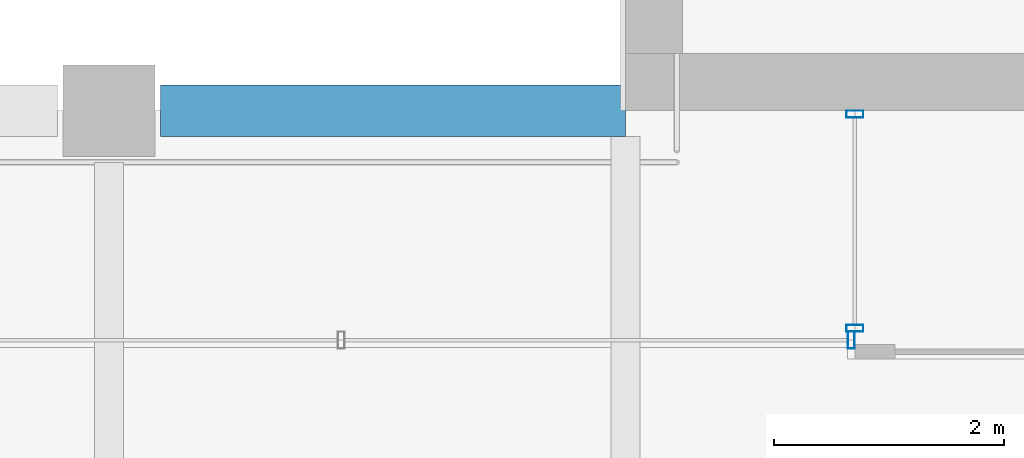
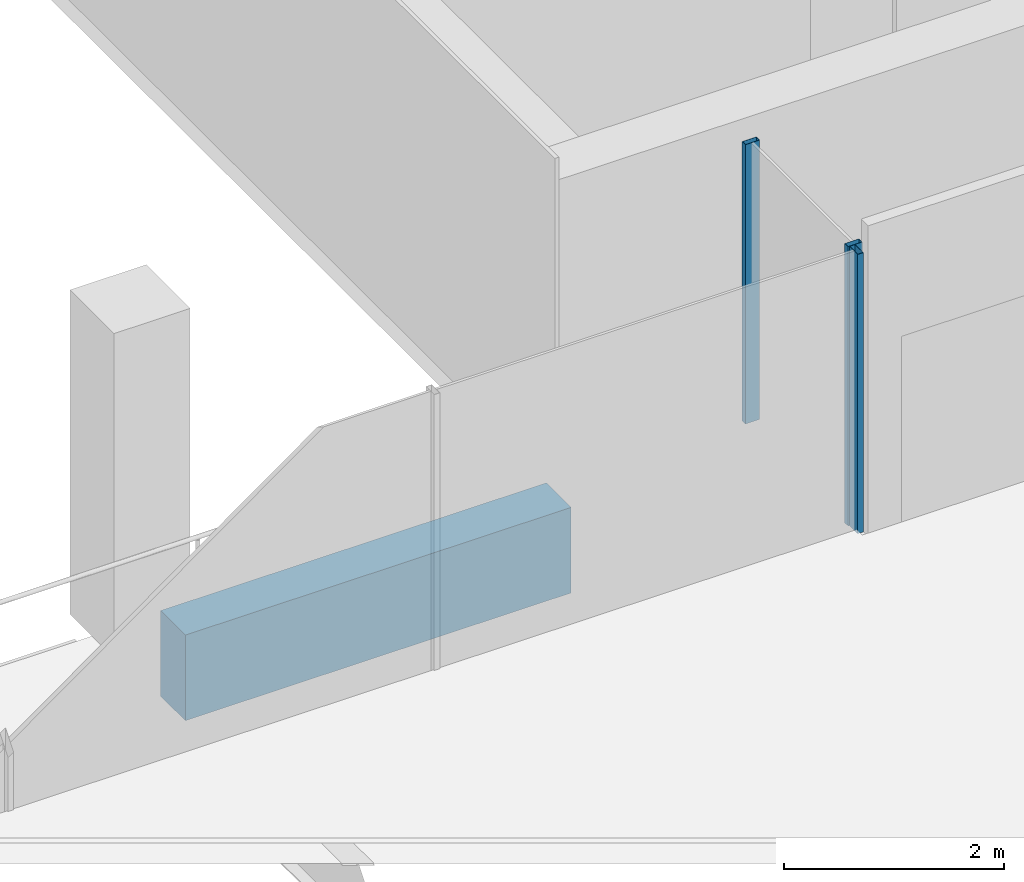
# One storey, part 6 of 40: 3 members, 1 beam, 2 elements without a shape of their own.
"""IFC4 building model written with IfcOpenShell, lengths in metres."""

from ifc_helpers import new_model, si_unit, direction, frame, origin, origin_2d, place, context, subcontext, project, spatial, rectangle, hollow_rectangle, extrude, material, material_profile, profile_set, type_object, element, aggregate, save


model = new_model("IFC4")

# Units and contexts
model_context = context("Model", 3, precision=1e-05, world=origin(), true_north=direction((0.0, 1.0)))
body_context = subcontext(model_context, "Body", "Model", "MODEL_VIEW")
ifc_project = project(units=[si_unit("LENGTHUNIT", "METRE"), si_unit("AREAUNIT", "SQUARE_METRE"), si_unit("VOLUMEUNIT", "CUBIC_METRE"), si_unit("PLANEANGLEUNIT", "RADIAN"), si_unit("MASSUNIT", "GRAM", prefix="KILO")], contexts=[model_context])

# Site, building, storey
site_placement = place(None, origin())
site = spatial("IfcSite", under=ifc_project, at=site_placement, CompositionType="ELEMENT")
building_placement = place(site_placement, origin())
building = spatial("IfcBuilding", under=site, at=building_placement, Name="Altepetl Exchange Towers", CompositionType="ELEMENT")
storey_placement = place(building_placement, frame((0.0, 0.0, 195.60009765625)))
storey = spatial("IfcBuildingStorey", under=building, at=storey_placement, Name="L49", CompositionType="ELEMENT", Elevation=195.60009765625)

# Curtain wall, members
ifc_material_1 = material(Name="Aluminium 6063-T6 glazing", Category="aluminium")
curtain_wall_type = type_object("IfcCurtainWallType", Name="Loggia glazing system", PredefinedType="NOTDEFINED", material=ifc_material_1)
curtain_wall_1_placement = place(storey_placement, origin())
curtain_wall_1 = element("IfcCurtainWall", 1, at=curtain_wall_1_placement, inside=storey, type_object=curtain_wall_type, Name="CW1 run", PredefinedType="NOTDEFINED")
ifc_material_2 = material(Name="Aluminium 6063-T6", Category="aluminium")
ifc_material_profile_1 = material_profile(ifc_material_2, hollow_rectangle(XDim=0.06005859375, YDim=0.14990234375, WallThickness=0.0029296875, at=origin_2d()), Name="Mullion 60x150 aluminium")
ifc_profile_set_1 = profile_set([ifc_material_profile_1], Name="Aluminium 6063-T6")
member_type = type_object("IfcMemberType", Name="Mullion 60x150 aluminium", PredefinedType="MULLION", material=ifc_profile_set_1)
member_1_placement = place(storey_placement, frame((42.5, 40.469970703125, 0.0), z_axis=(0.0, 0.0, 1.0), x_axis=(0.0, -1.0, 0.0)))
member_1 = element("IfcMember", 2, at=member_1_placement, type_object=member_type, Name="MU1 mullion", PredefinedType="MULLION", context=body_context, shape_type="SweptSolid", body=[
    extrude(hollow_rectangle(XDim=0.06005859375, YDim=0.14990234375, WallThickness=0.0029296875, at=origin_2d()), origin(), (0.0, 0.0, 1.0), 3.099853515625),
])
member_2_placement = place(storey_placement, frame((42.5, 38.60498046875, 0.0), z_axis=(0.0, 0.0, 1.0), x_axis=(0.0, -1.0, 0.0)))
member_2 = element("IfcMember", 3, at=member_2_placement, type_object=member_type, Name="MU1 mullion", PredefinedType="MULLION", context=body_context, shape_type="SweptSolid", body=[
    extrude(hollow_rectangle(XDim=0.06005859375, YDim=0.14990234375, WallThickness=0.0029296875, at=origin_2d()), origin(), (0.0, 0.0, 1.0), 3.099853515625),
])
aggregate(curtain_wall_1, [member_1, member_2])

# Curtain wall, member
curtain_wall_2_placement = place(storey_placement, origin())
curtain_wall_2 = element("IfcCurtainWall", 4, at=curtain_wall_2_placement, inside=storey, type_object=curtain_wall_type, Name="CW1 run", PredefinedType="NOTDEFINED")
member_3_placement = place(storey_placement, frame((42.469970703125, 38.5, 0.0), z_axis=(0.0, 0.0, 1.0), x_axis=(-1.0, 0.0, 0.0)))
member_3 = element("IfcMember", 5, at=member_3_placement, type_object=member_type, Name="MU1 mullion", PredefinedType="MULLION", context=body_context, shape_type="SweptSolid", body=[
    extrude(hollow_rectangle(XDim=0.06005859375, YDim=0.14990234375, WallThickness=0.0029296875, at=origin_2d()), origin(), (0.0, 0.0, 1.0), 3.099853515625),
])
aggregate(curtain_wall_2, [member_3])

# Beam
ifc_material_3 = material(Name="Concrete C50/60 precast with tezontle facing", Category="concrete")
ifc_material_profile_2 = material_profile(ifc_material_3, rectangle(XDim=0.449951171875, YDim=0.949951171875, at=origin_2d()), Name="450 x 950")
ifc_profile_set_2 = profile_set([ifc_material_profile_2], Name="Concrete C50/60 precast with tezontle facing")
beam_type = type_object("IfcBeamType", Name="Spandrel beam 450x950 tezontle", PredefinedType="SPANDREL", material=ifc_profile_set_2)
beam_placement = place(storey_placement, frame((40.5, 40.5, -0.625), z_axis=(-1.0, 0.0, 0.0), x_axis=(0.0, -1.0, 0.0)))
element("IfcBeam", 6, at=beam_placement, inside=storey, type_object=beam_type, Name="sp:A:L49:033", PredefinedType="SPANDREL", context=body_context, shape_type="SweptSolid", body=[
    extrude(rectangle(XDim=0.449951171875, YDim=0.949951171875, at=origin_2d()), origin(), (0.0, 0.0, 1.0), 4.050048828125),
])

save(model, "model.ifc")
